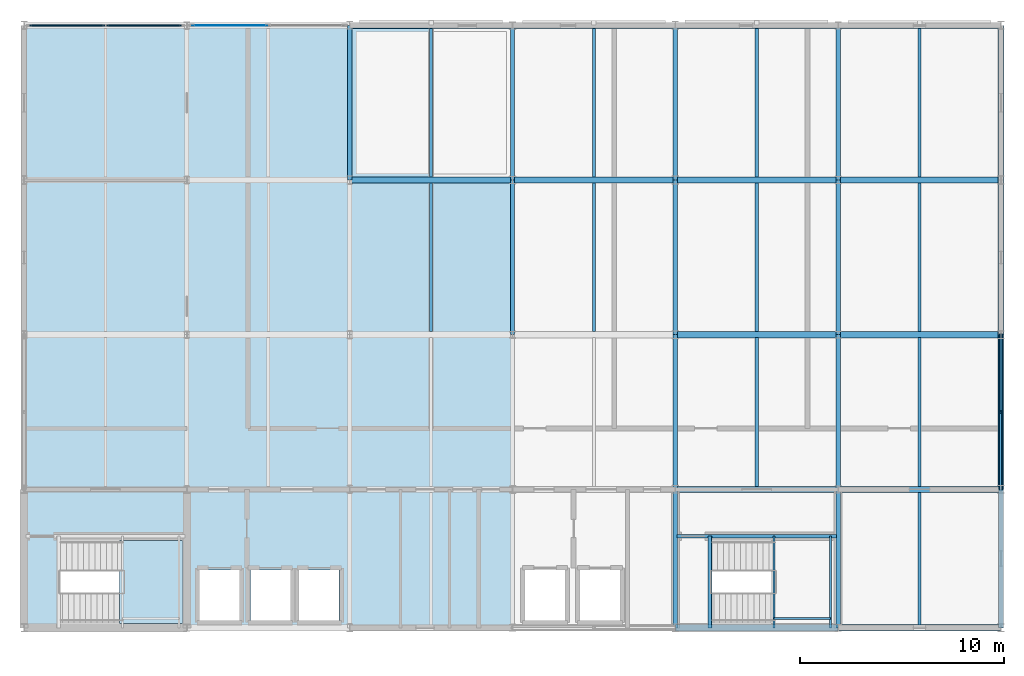
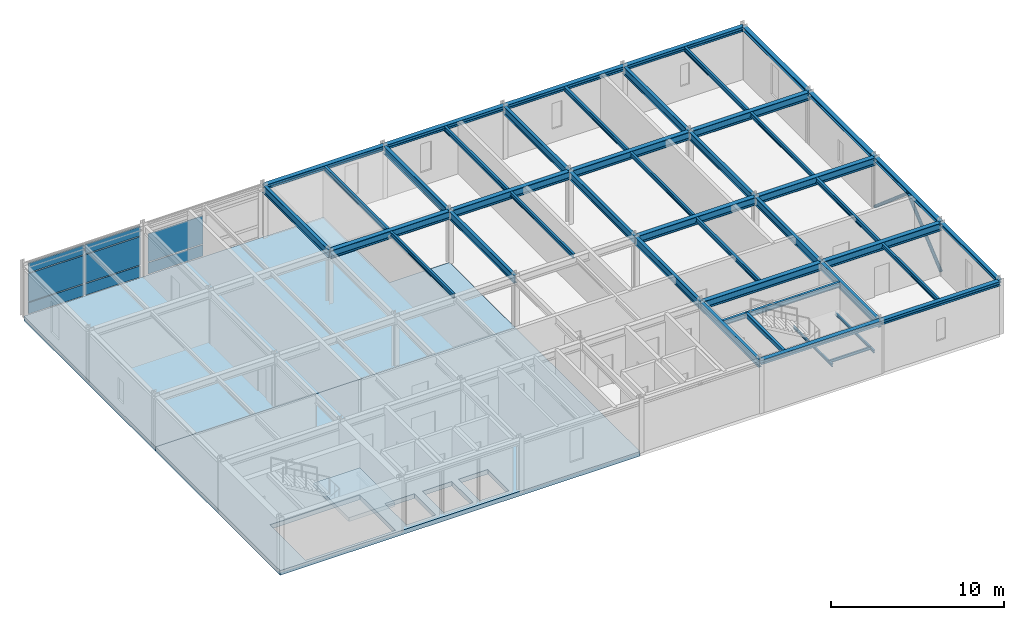
# One storey, part 5 of 9: 45 beams, 8 plates, 3 slabs, 2 members, 3 elements without a shape of their own.
"""IFC4 building model written with IfcOpenShell, lengths in metres."""

from ifc_helpers import new_model, si_unit, direction, frame, origin, origin_2d, place, context, subcontext, project, spatial, polyline, rectangle, hollow_rectangle, hollow_circle, i_section, outline, extrude, material, layer, layer_set, material_profile, profile_set, type_object, element, aggregate, save


model = new_model("IFC4")

# Units and contexts
model_context = context("Model", 3, precision=1e-05, world=origin(), true_north=direction((0.0, 1.0)))
body_context = subcontext(model_context, "Body", "Model", "MODEL_VIEW")
ifc_project = project(units=[si_unit("LENGTHUNIT", "METRE"), si_unit("AREAUNIT", "SQUARE_METRE"), si_unit("VOLUMEUNIT", "CUBIC_METRE"), si_unit("PLANEANGLEUNIT", "RADIAN"), si_unit("MASSUNIT", "GRAM", prefix="KILO")], contexts=[model_context])

# Site, building, storey
site_placement = place(None, origin())
site = spatial("IfcSite", under=ifc_project, at=site_placement, CompositionType="ELEMENT")
building_placement = place(site_placement, origin())
building = spatial("IfcBuilding", under=site, at=building_placement, Name="Shalkamar Park Central Library", CompositionType="ELEMENT")
storey_placement = place(building_placement, frame((0.0, 0.0, 63.89990234375)))
storey = spatial("IfcBuildingStorey", under=building, at=storey_placement, Name="L16", CompositionType="ELEMENT", Elevation=63.89990234375)

# Beams
ifc_material_1 = material(Name="Steel S355", Category="steel")
ifc_material_profile_1 = material_profile(ifc_material_1, i_section(OverallWidth=0.10009765625, OverallDepth=0.199951171875, WebThickness=0.005615234375, FlangeThickness=0.008544921875, FilletRadius=0.011962890625, at=origin_2d()), Name="IPE 200")
ifc_profile_set_1 = profile_set([ifc_material_profile_1], Name="Steel S355")
beam_type_1 = type_object("IfcBeamType", Name="Composite Floor Joist IPE200", PredefinedType="JOIST", material=ifc_profile_set_1)
for number, where, z_axis, x_axis, name in (
    (1, (201.840087890625, 248.39990234375, 1.570068359375), (0.0, 1.0, 0.0), (-1.0, 0.0, 0.0), "Stair Half-Landing Beam ST-T2-L16-1"),
    (2, (204.6201171875, 248.39990234375, 1.570068359375), (0.0, 1.0, 0.0), (-1.0, 0.0, 0.0), "Stair Half-Landing Beam ST-T2-L16-2"),
):
    element("IfcBeam", number, at=place(storey_placement, frame(where, z_axis=z_axis, x_axis=x_axis)), inside=storey, type_object=beam_type_1, Name=name, PredefinedType="JOIST", context=body_context, shape_type="SweptSolid", body=[
        extrude(i_section(OverallWidth=0.10009765625, OverallDepth=0.199951171875, WebThickness=0.005615234375, FlangeThickness=0.008544921875, FilletRadius=0.011962890625, at=origin_2d()), origin(), (0.0, 0.0, 1.0), 4.5),
    ])
beam_1_placement = place(storey_placement, frame((201.840087890625, 248.85009765625, 1.570068359375), z_axis=(1.0, 0.0, 0.0), x_axis=(0.0, 1.0, 0.0)))
element("IfcBeam", 3, at=beam_1_placement, inside=storey, type_object=beam_type_1, Name="Stair Half-Landing Cross Tie ST-T2-L16-3", PredefinedType="JOIST", context=body_context, shape_type="SweptSolid", body=[
    extrude(i_section(OverallWidth=0.10009765625, OverallDepth=0.199951171875, WebThickness=0.005615234375, FlangeThickness=0.008544921875, FilletRadius=0.011962890625, at=origin_2d()), origin(), (0.0, 0.0, 1.0), 2.780029296875),
])
ifc_material_profile_2 = material_profile(ifc_material_1, i_section(OverallWidth=0.14990234375, OverallDepth=0.300048828125, WebThickness=0.007080078125, FlangeThickness=0.0107421875, FilletRadius=0.014892578125, at=origin_2d()), Name="IPE 300")
ifc_profile_set_2 = profile_set([ifc_material_profile_2], Name="Steel S355")
beam_type_2 = type_object("IfcBeamType", Name="Composite Floor Joist IPE300", PredefinedType="JOIST", material=ifc_profile_set_2)
for number, where, z_axis, x_axis, name in (
    (4, (185.0, 262.947998046875, 3.550048828125), (0.0, 1.0, 0.0), (-1.0, 0.0, 0.0), "Composite Joist 09/D-1 (L16)"),
    (5, (193.0, 262.947998046875, 3.550048828125), (0.0, 1.0, 0.0), (-1.0, 0.0, 0.0), "Composite Joist 10/D-1 (L16)"),
    (6, (201.0, 262.947998046875, 3.550048828125), (0.0, 1.0, 0.0), (-1.0, 0.0, 0.0), "Composite Joist 11/D-1 (L16)"),
):
    element("IfcBeam", number, at=place(storey_placement, frame(where, z_axis=z_axis, x_axis=x_axis)), inside=storey, type_object=beam_type_2, Name=name, PredefinedType="JOIST", context=body_context, shape_type="SweptSolid", body=[
        extrude(i_section(OverallWidth=0.14990234375, OverallDepth=0.300048828125, WebThickness=0.007080078125, FlangeThickness=0.0107421875, FilletRadius=0.014892578125, at=origin_2d()), origin(), (0.0, 0.0, 1.0), 7.303955078125),
    ])
beam_2_placement = place(storey_placement, frame((209.0, 248.548095703125, 3.550048828125), z_axis=(0.0, 1.0, 0.0), x_axis=(-1.0, 0.0, 0.0)))
element("IfcBeam", 7, at=beam_2_placement, inside=storey, type_object=beam_type_2, Name="Composite Joist 12/B-1 (L16)", PredefinedType="JOIST", context=body_context, shape_type="SweptSolid", body=[
    extrude(i_section(OverallWidth=0.14990234375, OverallDepth=0.300048828125, WebThickness=0.007080078125, FlangeThickness=0.0107421875, FilletRadius=0.014892578125, at=origin_2d()), origin(), (0.0, 0.0, 1.0), 6.50390625),
])
beam_3_placement = place(storey_placement, frame((209.0, 262.947998046875, 3.550048828125), z_axis=(0.0, 1.0, 0.0), x_axis=(-1.0, 0.0, 0.0)))
element("IfcBeam", 8, at=beam_3_placement, inside=storey, type_object=beam_type_2, Name="Composite Joist 12/D-1 (L16)", PredefinedType="JOIST", context=body_context, shape_type="SweptSolid", body=[
    extrude(i_section(OverallWidth=0.14990234375, OverallDepth=0.300048828125, WebThickness=0.007080078125, FlangeThickness=0.0107421875, FilletRadius=0.014892578125, at=origin_2d()), origin(), (0.0, 0.0, 1.0), 7.303955078125),
])
ifc_material_profile_3 = material_profile(ifc_material_1, i_section(OverallWidth=0.159912109375, OverallDepth=0.330078125, WebThickness=0.007568359375, FlangeThickness=0.011474609375, FilletRadius=0.01806640625, at=origin_2d()), Name="IPE 330")
ifc_profile_set_3 = profile_set([ifc_material_profile_3], Name="Steel S355")
beam_type_3 = type_object("IfcBeamType", Name="Composite Floor Joist IPE330", PredefinedType="JOIST", material=ifc_profile_set_3)
for number, where, z_axis, x_axis, name in (
    (9, (185.0, 270.548095703125, 3.53515625), (0.0, 1.0, 0.0), (-1.0, 0.0, 0.0), "Composite Joist 09/E-1 (L16)"),
    (10, (193.0, 270.548095703125, 3.53515625), (0.0, 1.0, 0.0), (-1.0, 0.0, 0.0), "Composite Joist 10/E-1 (L16)"),
):
    element("IfcBeam", number, at=place(storey_placement, frame(where, z_axis=z_axis, x_axis=x_axis)), inside=storey, type_object=beam_type_3, Name=name, PredefinedType="JOIST", context=body_context, shape_type="SweptSolid", body=[
        extrude(i_section(OverallWidth=0.159912109375, OverallDepth=0.330078125, WebThickness=0.007568359375, FlangeThickness=0.011474609375, FilletRadius=0.01806640625, at=origin_2d()), origin(), (0.0, 0.0, 1.0), 7.303955078125),
    ])
beam_4_placement = place(storey_placement, frame((201.0, 255.347900390625, 3.53515625), z_axis=(0.0, 1.0, 0.0), x_axis=(-1.0, 0.0, 0.0)))
element("IfcBeam", 11, at=beam_4_placement, inside=storey, type_object=beam_type_3, Name="Composite Joist 11/C-1 (L16)", PredefinedType="JOIST", context=body_context, shape_type="SweptSolid", body=[
    extrude(i_section(OverallWidth=0.159912109375, OverallDepth=0.330078125, WebThickness=0.007568359375, FlangeThickness=0.011474609375, FilletRadius=0.01806640625, at=origin_2d()), origin(), (0.0, 0.0, 1.0), 7.30419921875),
])
beam_5_placement = place(storey_placement, frame((201.0, 270.548095703125, 3.53515625), z_axis=(0.0, 1.0, 0.0), x_axis=(-1.0, 0.0, 0.0)))
element("IfcBeam", 12, at=beam_5_placement, inside=storey, type_object=beam_type_3, Name="Composite Joist 11/E-1 (L16)", PredefinedType="JOIST", context=body_context, shape_type="SweptSolid", body=[
    extrude(i_section(OverallWidth=0.159912109375, OverallDepth=0.330078125, WebThickness=0.007568359375, FlangeThickness=0.011474609375, FilletRadius=0.01806640625, at=origin_2d()), origin(), (0.0, 0.0, 1.0), 7.303955078125),
])
beam_6_placement = place(storey_placement, frame((209.0, 255.347900390625, 3.53515625), z_axis=(0.0, 1.0, 0.0), x_axis=(-1.0, 0.0, 0.0)))
element("IfcBeam", 13, at=beam_6_placement, inside=storey, type_object=beam_type_3, Name="Composite Joist 12/C-1 (L16)", PredefinedType="JOIST", context=body_context, shape_type="SweptSolid", body=[
    extrude(i_section(OverallWidth=0.159912109375, OverallDepth=0.330078125, WebThickness=0.007568359375, FlangeThickness=0.011474609375, FilletRadius=0.01806640625, at=origin_2d()), origin(), (0.0, 0.0, 1.0), 7.30419921875),
])
beam_7_placement = place(storey_placement, frame((209.0, 270.548095703125, 3.53515625), z_axis=(0.0, 1.0, 0.0), x_axis=(-1.0, 0.0, 0.0)))
element("IfcBeam", 14, at=beam_7_placement, inside=storey, type_object=beam_type_3, Name="Composite Joist 12/E-1 (L16)", PredefinedType="JOIST", context=body_context, shape_type="SweptSolid", body=[
    extrude(i_section(OverallWidth=0.159912109375, OverallDepth=0.330078125, WebThickness=0.007568359375, FlangeThickness=0.011474609375, FilletRadius=0.01806640625, at=origin_2d()), origin(), (0.0, 0.0, 1.0), 7.303955078125),
])

# Members
ifc_material_profile_4 = material_profile(ifc_material_1, hollow_circle(Radius=0.109619140625, WallThickness=0.010009765625, at=origin_2d()), Name="CHS 219.1x10")
ifc_profile_set_4 = profile_set([ifc_material_profile_4], Name="Steel S355")
member_type = type_object("IfcMemberType", Name="Diagonal Brace CHS219", PredefinedType="BRACE", material=ifc_profile_set_4)
for number, where, z_axis, x_axis, name in (
    (15, (213.0, 255.199951171875, 0.150146484375), (0.0, 0.759966128162, 0.649962678965), (-1.0, 0.0, 0.0), "Chevron Brace TW-E Leg A (L16)"),
    (16, (213.0, 262.800048828125, 0.150146484375), (0.0, -0.759966128162, 0.649962678965), (1.0, 0.0, 0.0), "Chevron Brace TW-E Leg B (L16)"),
):
    element("IfcMember", number, at=place(storey_placement, frame(where, z_axis=z_axis, x_axis=x_axis)), inside=storey, type_object=member_type, Name=name, PredefinedType="BRACE", context=body_context, shape_type="SweptSolid", body=[
        extrude(hollow_circle(Radius=0.109619140625, WallThickness=0.010009765625, at=origin_2d()), origin(), (0.0, 0.0, 1.0), 5.000244140625),
    ])

# Beams
ifc_material_profile_5 = material_profile(ifc_material_1, i_section(OverallWidth=0.239990234375, OverallDepth=0.22998046875, WebThickness=0.007568359375, FlangeThickness=0.011962890625, FilletRadius=0.02099609375, at=origin_2d()), Name="HEA 240")
ifc_profile_set_5 = profile_set([ifc_material_profile_5], Name="Steel S355")
beam_type_4 = type_object("IfcBeamType", Name="Perimeter Spandrel Beam HEA240", PredefinedType="SPANDREL", material=ifc_profile_set_5)
beam_8_placement = place(storey_placement, frame((213.0, 248.39990234375, 3.585205078125), z_axis=(0.0, 1.0, 0.0), x_axis=(-1.0, 0.0, 0.0)))
element("IfcBeam", 17, at=beam_8_placement, inside=storey, type_object=beam_type_4, Name="Beam 13:B-C (L16)", PredefinedType="SPANDREL", context=body_context, shape_type="SweptSolid", body=[
    extrude(i_section(OverallWidth=0.239990234375, OverallDepth=0.22998046875, WebThickness=0.007568359375, FlangeThickness=0.011962890625, FilletRadius=0.02099609375, at=origin_2d()), origin(), (0.0, 0.0, 1.0), 6.800048828125),
])
ifc_material_profile_6 = material_profile(ifc_material_1, i_section(OverallWidth=0.280029296875, OverallDepth=0.27001953125, WebThickness=0.008056640625, FlangeThickness=0.012939453125, FilletRadius=0.02392578125, at=origin_2d()), Name="HEA 280")
ifc_profile_set_6 = profile_set([ifc_material_profile_6], Name="Steel S355")
beam_type_5 = type_object("IfcBeamType", Name="Perimeter Spandrel Beam HEA280", PredefinedType="SPANDREL", material=ifc_profile_set_6)
beam_9_placement = place(storey_placement, frame((213.0, 255.199951171875, 3.565185546875), z_axis=(0.0, 1.0, 0.0), x_axis=(-1.0, 0.0, 0.0)))
element("IfcBeam", 18, at=beam_9_placement, inside=storey, type_object=beam_type_5, Name="Beam 13:C-D (L16)", PredefinedType="SPANDREL", context=body_context, shape_type="SweptSolid", body=[
    extrude(i_section(OverallWidth=0.280029296875, OverallDepth=0.27001953125, WebThickness=0.008056640625, FlangeThickness=0.012939453125, FilletRadius=0.02392578125, at=origin_2d()), origin(), (0.0, 0.0, 1.0), 7.60009765625),
])
beam_10_placement = place(storey_placement, frame((213.0, 262.800048828125, 3.565185546875), z_axis=(0.0, 1.0, 0.0), x_axis=(-1.0, 0.0, 0.0)))
element("IfcBeam", 19, at=beam_10_placement, inside=storey, type_object=beam_type_5, Name="Beam 13:D-E (L16)", PredefinedType="SPANDREL", context=body_context, shape_type="SweptSolid", body=[
    extrude(i_section(OverallWidth=0.280029296875, OverallDepth=0.27001953125, WebThickness=0.008056640625, FlangeThickness=0.012939453125, FilletRadius=0.02392578125, at=origin_2d()), origin(), (0.0, 0.0, 1.0), 7.599853515625),
])
beam_11_placement = place(storey_placement, frame((213.0, 270.39990234375, 3.565185546875), z_axis=(0.0, 1.0, 0.0), x_axis=(-1.0, 0.0, 0.0)))
element("IfcBeam", 20, at=beam_11_placement, inside=storey, type_object=beam_type_5, Name="Beam 13:E-F (L16)", PredefinedType="SPANDREL", context=body_context, shape_type="SweptSolid", body=[
    extrude(i_section(OverallWidth=0.280029296875, OverallDepth=0.27001953125, WebThickness=0.008056640625, FlangeThickness=0.012939453125, FilletRadius=0.02392578125, at=origin_2d()), origin(), (0.0, 0.0, 1.0), 7.60009765625),
])
ifc_material_profile_7 = material_profile(ifc_material_1, i_section(OverallWidth=0.300048828125, OverallDepth=0.31005859375, WebThickness=0.009033203125, FlangeThickness=0.015380859375, FilletRadius=0.027099609375, at=origin_2d()), Name="HEA 320")
ifc_profile_set_7 = profile_set([ifc_material_profile_7], Name="Steel S355")
beam_type_6 = type_object("IfcBeamType", Name="Perimeter Spandrel Beam HEA320", PredefinedType="SPANDREL", material=ifc_profile_set_7)
for number, where, z_axis, x_axis, name in (
    (21, (197.0, 248.39990234375, 3.545166015625), (1.0, 0.0, 0.0), (0.0, 1.0, 0.0), "Beam B:11-12 (L16)"),
    (22, (205.0, 248.39990234375, 3.545166015625), (1.0, 0.0, 0.0), (0.0, 1.0, 0.0), "Beam B:12-13 (L16)"),
    (23, (181.0, 278.0, 3.545166015625), (1.0, 0.0, 0.0), (0.0, 1.0, 0.0), "Beam F:09-10 (L16)"),
    (24, (189.0, 278.0, 3.545166015625), (1.0, 0.0, 0.0), (0.0, 1.0, 0.0), "Beam F:10-11 (L16)"),
    (25, (197.0, 278.0, 3.545166015625), (1.0, 0.0, 0.0), (0.0, 1.0, 0.0), "Beam F:11-12 (L16)"),
    (26, (205.0, 278.0, 3.545166015625), (1.0, 0.0, 0.0), (0.0, 1.0, 0.0), "Beam F:12-13 (L16)"),
):
    element("IfcBeam", number, at=place(storey_placement, frame(where, z_axis=z_axis, x_axis=x_axis)), inside=storey, type_object=beam_type_6, Name=name, PredefinedType="SPANDREL", context=body_context, shape_type="SweptSolid", body=[
        extrude(i_section(OverallWidth=0.300048828125, OverallDepth=0.31005859375, WebThickness=0.009033203125, FlangeThickness=0.015380859375, FilletRadius=0.027099609375, at=origin_2d()), origin(), (0.0, 0.0, 1.0), 8.0),
    ])
ifc_material_profile_8 = material_profile(ifc_material_1, i_section(OverallWidth=0.300048828125, OverallDepth=0.550048828125, WebThickness=0.014892578125, FlangeThickness=0.029052734375, FilletRadius=0.027099609375, at=origin_2d()), Name="HEB 550")
ifc_profile_set_8 = profile_set([ifc_material_profile_8], Name="Steel S355")
beam_type_7 = type_object("IfcBeamType", Name="Primary Girder HEB550", PredefinedType="BEAM", material=ifc_profile_set_8)
for number, where, z_axis, x_axis, name in (
    (27, (197.0, 255.199951171875, 3.425048828125), (1.0, 0.0, 0.0), (0.0, 1.0, 0.0), "Beam C:11-12 (L16)"),
    (28, (205.0, 255.199951171875, 3.425048828125), (1.0, 0.0, 0.0), (0.0, 1.0, 0.0), "Beam C:12-13 (L16)"),
    (29, (197.0, 262.800048828125, 3.425048828125), (1.0, 0.0, 0.0), (0.0, 1.0, 0.0), "Beam D:11-12 (L16)"),
    (30, (205.0, 262.800048828125, 3.425048828125), (1.0, 0.0, 0.0), (0.0, 1.0, 0.0), "Beam D:12-13 (L16)"),
    (31, (181.0, 270.39990234375, 3.425048828125), (1.0, 0.0, 0.0), (0.0, 1.0, 0.0), "Beam E:09-10 (L16)"),
    (32, (189.0, 270.39990234375, 3.425048828125), (1.0, 0.0, 0.0), (0.0, 1.0, 0.0), "Beam E:10-11 (L16)"),
    (33, (197.0, 270.39990234375, 3.425048828125), (1.0, 0.0, 0.0), (0.0, 1.0, 0.0), "Beam E:11-12 (L16)"),
    (34, (205.0, 270.39990234375, 3.425048828125), (1.0, 0.0, 0.0), (0.0, 1.0, 0.0), "Beam E:12-13 (L16)"),
):
    element("IfcBeam", number, at=place(storey_placement, frame(where, z_axis=z_axis, x_axis=x_axis)), inside=storey, type_object=beam_type_7, Name=name, PredefinedType="BEAM", context=body_context, shape_type="SweptSolid", body=[
        extrude(i_section(OverallWidth=0.300048828125, OverallDepth=0.550048828125, WebThickness=0.014892578125, FlangeThickness=0.029052734375, FilletRadius=0.027099609375, at=origin_2d()), origin(), (0.0, 0.0, 1.0), 8.0),
    ])
ifc_material_profile_9 = material_profile(ifc_material_1, i_section(OverallWidth=0.169921875, OverallDepth=0.360107421875, WebThickness=0.008056640625, FlangeThickness=0.0126953125, FilletRadius=0.01806640625, at=origin_2d()), Name="IPE 360")
ifc_profile_set_9 = profile_set([ifc_material_profile_9], Name="Steel S355")
beam_type_8 = type_object("IfcBeamType", Name="Primary Girder IPE360", PredefinedType="BEAM", material=ifc_profile_set_9)
beam_12_placement = place(storey_placement, frame((197.087890625, 252.89990234375, 3.52001953125), z_axis=(1.0, 0.0, 0.0), x_axis=(0.0, 1.0, 0.0)))
element("IfcBeam", 35, at=beam_12_placement, inside=storey, type_object=beam_type_8, Name="CORE-T2 Stairwell Divider Beam (L16)", PredefinedType="BEAM", context=body_context, shape_type="SweptSolid", body=[
    extrude(i_section(OverallWidth=0.169921875, OverallDepth=0.360107421875, WebThickness=0.008056640625, FlangeThickness=0.0126953125, FilletRadius=0.01806640625, at=origin_2d()), origin(), (0.0, 0.0, 1.0), 7.82421875),
])
ifc_material_profile_10 = material_profile(ifc_material_1, i_section(OverallWidth=0.2099609375, OverallDepth=0.550048828125, WebThickness=0.010986328125, FlangeThickness=0.01708984375, FilletRadius=0.02392578125, at=origin_2d()), Name="IPE 550")
ifc_profile_set_10 = profile_set([ifc_material_profile_10], Name="Steel S355")
beam_type_9 = type_object("IfcBeamType", Name="Primary Girder IPE550", PredefinedType="BEAM", material=ifc_profile_set_10)
beam_13_placement = place(storey_placement, frame((181.0, 270.39990234375, 3.425048828125), z_axis=(0.0, 1.0, 0.0), x_axis=(-1.0, 0.0, 0.0)))
element("IfcBeam", 36, at=beam_13_placement, inside=storey, type_object=beam_type_9, Name="Beam 09:E-F (L16)", PredefinedType="BEAM", context=body_context, shape_type="SweptSolid", body=[
    extrude(i_section(OverallWidth=0.2099609375, OverallDepth=0.550048828125, WebThickness=0.010986328125, FlangeThickness=0.01708984375, FilletRadius=0.02392578125, at=origin_2d()), origin(), (0.0, 0.0, 1.0), 7.60009765625),
])
beam_14_placement = place(storey_placement, frame((189.0, 262.800048828125, 3.425048828125), z_axis=(0.0, 1.0, 0.0), x_axis=(-1.0, 0.0, 0.0)))
element("IfcBeam", 37, at=beam_14_placement, inside=storey, type_object=beam_type_9, Name="Beam 10:D-E (L16)", PredefinedType="BEAM", context=body_context, shape_type="SweptSolid", body=[
    extrude(i_section(OverallWidth=0.2099609375, OverallDepth=0.550048828125, WebThickness=0.010986328125, FlangeThickness=0.01708984375, FilletRadius=0.02392578125, at=origin_2d()), origin(), (0.0, 0.0, 1.0), 7.599853515625),
])
beam_15_placement = place(storey_placement, frame((189.0, 270.39990234375, 3.425048828125), z_axis=(0.0, 1.0, 0.0), x_axis=(-1.0, 0.0, 0.0)))
element("IfcBeam", 38, at=beam_15_placement, inside=storey, type_object=beam_type_9, Name="Beam 10:E-F (L16)", PredefinedType="BEAM", context=body_context, shape_type="SweptSolid", body=[
    extrude(i_section(OverallWidth=0.2099609375, OverallDepth=0.550048828125, WebThickness=0.010986328125, FlangeThickness=0.01708984375, FilletRadius=0.02392578125, at=origin_2d()), origin(), (0.0, 0.0, 1.0), 7.60009765625),
])
beam_16_placement = place(storey_placement, frame((197.0, 248.39990234375, 3.425048828125), z_axis=(0.0, 1.0, 0.0), x_axis=(-1.0, 0.0, 0.0)))
element("IfcBeam", 39, at=beam_16_placement, inside=storey, type_object=beam_type_9, Name="Beam 11:B-C (L16)", PredefinedType="BEAM", context=body_context, shape_type="SweptSolid", body=[
    extrude(i_section(OverallWidth=0.2099609375, OverallDepth=0.550048828125, WebThickness=0.010986328125, FlangeThickness=0.01708984375, FilletRadius=0.02392578125, at=origin_2d()), origin(), (0.0, 0.0, 1.0), 6.800048828125),
])
beam_17_placement = place(storey_placement, frame((197.0, 255.199951171875, 3.425048828125), z_axis=(0.0, 1.0, 0.0), x_axis=(-1.0, 0.0, 0.0)))
element("IfcBeam", 40, at=beam_17_placement, inside=storey, type_object=beam_type_9, Name="Beam 11:C-D (L16)", PredefinedType="BEAM", context=body_context, shape_type="SweptSolid", body=[
    extrude(i_section(OverallWidth=0.2099609375, OverallDepth=0.550048828125, WebThickness=0.010986328125, FlangeThickness=0.01708984375, FilletRadius=0.02392578125, at=origin_2d()), origin(), (0.0, 0.0, 1.0), 7.60009765625),
])
beam_18_placement = place(storey_placement, frame((197.0, 262.800048828125, 3.425048828125), z_axis=(0.0, 1.0, 0.0), x_axis=(-1.0, 0.0, 0.0)))
element("IfcBeam", 41, at=beam_18_placement, inside=storey, type_object=beam_type_9, Name="Beam 11:D-E (L16)", PredefinedType="BEAM", context=body_context, shape_type="SweptSolid", body=[
    extrude(i_section(OverallWidth=0.2099609375, OverallDepth=0.550048828125, WebThickness=0.010986328125, FlangeThickness=0.01708984375, FilletRadius=0.02392578125, at=origin_2d()), origin(), (0.0, 0.0, 1.0), 7.599853515625),
])
beam_19_placement = place(storey_placement, frame((197.0, 270.39990234375, 3.425048828125), z_axis=(0.0, 1.0, 0.0), x_axis=(-1.0, 0.0, 0.0)))
element("IfcBeam", 42, at=beam_19_placement, inside=storey, type_object=beam_type_9, Name="Beam 11:E-F (L16)", PredefinedType="BEAM", context=body_context, shape_type="SweptSolid", body=[
    extrude(i_section(OverallWidth=0.2099609375, OverallDepth=0.550048828125, WebThickness=0.010986328125, FlangeThickness=0.01708984375, FilletRadius=0.02392578125, at=origin_2d()), origin(), (0.0, 0.0, 1.0), 7.60009765625),
])
beam_20_placement = place(storey_placement, frame((205.0, 248.39990234375, 3.425048828125), z_axis=(0.0, 1.0, 0.0), x_axis=(-1.0, 0.0, 0.0)))
element("IfcBeam", 43, at=beam_20_placement, inside=storey, type_object=beam_type_9, Name="Beam 12:B-C (L16)", PredefinedType="BEAM", context=body_context, shape_type="SweptSolid", body=[
    extrude(i_section(OverallWidth=0.2099609375, OverallDepth=0.550048828125, WebThickness=0.010986328125, FlangeThickness=0.01708984375, FilletRadius=0.02392578125, at=origin_2d()), origin(), (0.0, 0.0, 1.0), 6.800048828125),
])
beam_21_placement = place(storey_placement, frame((205.0, 255.199951171875, 3.425048828125), z_axis=(0.0, 1.0, 0.0), x_axis=(-1.0, 0.0, 0.0)))
element("IfcBeam", 44, at=beam_21_placement, inside=storey, type_object=beam_type_9, Name="Beam 12:C-D (L16)", PredefinedType="BEAM", context=body_context, shape_type="SweptSolid", body=[
    extrude(i_section(OverallWidth=0.2099609375, OverallDepth=0.550048828125, WebThickness=0.010986328125, FlangeThickness=0.01708984375, FilletRadius=0.02392578125, at=origin_2d()), origin(), (0.0, 0.0, 1.0), 7.60009765625),
])
beam_22_placement = place(storey_placement, frame((205.0, 262.800048828125, 3.425048828125), z_axis=(0.0, 1.0, 0.0), x_axis=(-1.0, 0.0, 0.0)))
element("IfcBeam", 45, at=beam_22_placement, inside=storey, type_object=beam_type_9, Name="Beam 12:D-E (L16)", PredefinedType="BEAM", context=body_context, shape_type="SweptSolid", body=[
    extrude(i_section(OverallWidth=0.2099609375, OverallDepth=0.550048828125, WebThickness=0.010986328125, FlangeThickness=0.01708984375, FilletRadius=0.02392578125, at=origin_2d()), origin(), (0.0, 0.0, 1.0), 7.599853515625),
])
beam_23_placement = place(storey_placement, frame((205.0, 270.39990234375, 3.425048828125), z_axis=(0.0, 1.0, 0.0), x_axis=(-1.0, 0.0, 0.0)))
element("IfcBeam", 46, at=beam_23_placement, inside=storey, type_object=beam_type_9, Name="Beam 12:E-F (L16)", PredefinedType="BEAM", context=body_context, shape_type="SweptSolid", body=[
    extrude(i_section(OverallWidth=0.2099609375, OverallDepth=0.550048828125, WebThickness=0.010986328125, FlangeThickness=0.01708984375, FilletRadius=0.02392578125, at=origin_2d()), origin(), (0.0, 0.0, 1.0), 7.60009765625),
])
ifc_material_profile_11 = material_profile(ifc_material_1, hollow_rectangle(XDim=0.199951171875, YDim=0.300048828125, WallThickness=0.011962890625, InnerFilletRadius=0.011962890625, OuterFilletRadius=0.01806640625, at=origin_2d()), Name="RHS 300x200x12")
ifc_profile_set_11 = profile_set([ifc_material_profile_11], Name="Steel S355")
beam_type_10 = type_object("IfcBeamType", Name="Stair Trimmer Box RHS300x200", PredefinedType="BEAM", material=ifc_profile_set_11)
beam_24_placement = place(storey_placement, frame((198.699951171875, 248.39990234375, 3.550048828125), z_axis=(0.0, 1.0, 0.0), x_axis=(-1.0, 0.0, 0.0)))
element("IfcBeam", 47, at=beam_24_placement, inside=storey, type_object=beam_type_10, Name="Stair Arrival Trimmer Girder ST-T2-L16", PredefinedType="BEAM", context=body_context, shape_type="SweptSolid", body=[
    extrude(hollow_rectangle(XDim=0.199951171875, YDim=0.300048828125, WallThickness=0.011962890625, InnerFilletRadius=0.011962890625, OuterFilletRadius=0.01806640625, at=origin_2d()), origin(), (0.0, 0.0, 1.0), 4.5),
])

# Curtain wall, plates
ifc_material_2 = material(Name="Thermally broken aluminium and triple low-e curtain wall", Category="aluminium")
ifc_layer_1 = layer(ifc_material_2, 0.280029296875)
ifc_layer_set_1 = layer_set([ifc_layer_1], Name="UnitisedCurtainWall_103")
curtain_wall_type_1 = type_object("IfcCurtainWallType", Name="Unitised Curtain Wall 103", PredefinedType="USERDEFINED", material=ifc_layer_set_1)
curtain_wall_1_placement = place(storey_placement, origin())
curtain_wall_1 = element("IfcCurtainWall", 48, at=curtain_wall_1_placement, inside=storey, type_object=curtain_wall_type_1, Name="Unitised Curtain Wall CW-L16-159", ObjectType="UNITISED CURTAIN WALL", PredefinedType="USERDEFINED")
ifc_material_3 = material(Name="Triple-glazed solar-control glass", Category="glass")
ifc_layer_2 = layer(ifc_material_3, 0.031982421875)
ifc_layer_set_2 = layer_set([ifc_layer_2], Name="SolarControlVisionPanel_32")
plate_type_1 = type_object("IfcPlateType", Name="Solar Control Vision Panel 32", PredefinedType="CURTAIN_PANEL", material=ifc_layer_set_2)
plate_1_placement = place(storey_placement, frame((175.109619140625, 278.0, 0.070068359375), z_axis=(0.0, 0.0, 1.0), x_axis=(1.0, 0.0, 0.0)))
plate_1 = element("IfcPlate", 49, at=plate_1_placement, type_object=plate_type_1, Name="CW-103 panel 1.1", PredefinedType="CURTAIN_PANEL", context=body_context, shape_type="SweptSolid", body=[
    extrude(rectangle(XDim=3.6708984375, YDim=0.031982421875, at=origin_2d()), origin(), (0.0, 0.0, 1.0), 0.794921875),
])
plate_2_placement = place(storey_placement, frame((175.109619140625, 278.0, 0.93505859375), z_axis=(0.0, 0.0, 1.0), x_axis=(1.0, 0.0, 0.0)))
plate_2 = element("IfcPlate", 50, at=plate_2_placement, type_object=plate_type_1, Name="CW-103 panel 1.2", PredefinedType="CURTAIN_PANEL", context=body_context, shape_type="SweptSolid", body=[
    extrude(rectangle(XDim=3.6708984375, YDim=0.031982421875, at=origin_2d()), origin(), (0.0, 0.0, 1.0), 1.97998046875),
])
aggregate(curtain_wall_1, [plate_1, plate_2])

ifc_layer_3 = layer(ifc_material_2, 0.264892578125)
ifc_layer_set_3 = layer_set([ifc_layer_3], Name="UnitisedCurtainWall_102")
curtain_wall_type_2 = type_object("IfcCurtainWallType", Name="Unitised Curtain Wall 102", PredefinedType="USERDEFINED", material=ifc_layer_set_3)
curtain_wall_2_placement = place(storey_placement, origin())
curtain_wall_2 = element("IfcCurtainWall", 51, at=curtain_wall_2_placement, inside=storey, type_object=curtain_wall_type_2, Name="Unitised Curtain Wall CW-L16-158", ObjectType="UNITISED CURTAIN WALL", PredefinedType="USERDEFINED")
ifc_material_4 = material(Name="Insulated aluminium spandrel panel", Category="aluminium")
ifc_layer_4 = layer(ifc_material_4, 0.080078125)
ifc_layer_set_4 = layer_set([ifc_layer_4], Name="SpandrelShadowboxPanel_80")
plate_type_2 = type_object("IfcPlateType", Name="Spandrel Shadowbox Panel 80", PredefinedType="CURTAIN_PANEL", material=ifc_layer_set_4)
plate_3_placement = place(storey_placement, frame((167.128173828125, 278.0, 0.070068359375), z_axis=(0.0, 0.0, 1.0), x_axis=(1.0, 0.0, 0.0)))
plate_3 = element("IfcPlate", 52, at=plate_3_placement, type_object=plate_type_2, Name="CW-102 panel 1.1", PredefinedType="CURTAIN_PANEL", context=body_context, shape_type="SweptSolid", body=[
    extrude(rectangle(XDim=3.678466796875, YDim=0.080078125, at=origin_2d()), origin(), (0.0, 0.0, 1.0), 0.794921875),
])
plate_4_placement = place(storey_placement, frame((167.128173828125, 278.0, 0.93505859375), z_axis=(0.0, 0.0, 1.0), x_axis=(1.0, 0.0, 0.0)))
plate_4 = element("IfcPlate", 53, at=plate_4_placement, type_object=plate_type_2, Name="CW-102 panel 1.2", PredefinedType="CURTAIN_PANEL", context=body_context, shape_type="SweptSolid", body=[
    extrude(rectangle(XDim=3.678466796875, YDim=0.080078125, at=origin_2d()), origin(), (0.0, 0.0, 1.0), 1.97998046875),
])
plate_5_placement = place(storey_placement, frame((167.128173828125, 278.0, 2.985107421875), z_axis=(0.0, 0.0, 1.0), x_axis=(1.0, 0.0, 0.0)))
plate_5 = element("IfcPlate", 54, at=plate_5_placement, type_object=plate_type_2, Name="CW-102 panel 1.3", PredefinedType="CURTAIN_PANEL", context=body_context, shape_type="SweptSolid", body=[
    extrude(rectangle(XDim=3.678466796875, YDim=0.080078125, at=origin_2d()), origin(), (0.0, 0.0, 1.0), 0.64501953125),
])
plate_6_placement = place(storey_placement, frame((170.891845703125, 278.0, 0.070068359375), z_axis=(0.0, 0.0, 1.0), x_axis=(1.0, 0.0, 0.0)))
plate_6 = element("IfcPlate", 55, at=plate_6_placement, type_object=plate_type_2, Name="CW-102 panel 2.1", PredefinedType="CURTAIN_PANEL", context=body_context, shape_type="SweptSolid", body=[
    extrude(rectangle(XDim=3.678466796875, YDim=0.080078125, at=origin_2d()), origin(), (0.0, 0.0, 1.0), 0.794921875),
])
plate_7_placement = place(storey_placement, frame((170.891845703125, 278.0, 0.93505859375), z_axis=(0.0, 0.0, 1.0), x_axis=(1.0, 0.0, 0.0)))
plate_7 = element("IfcPlate", 56, at=plate_7_placement, type_object=plate_type_2, Name="CW-102 panel 2.2", PredefinedType="CURTAIN_PANEL", context=body_context, shape_type="SweptSolid", body=[
    extrude(rectangle(XDim=3.678466796875, YDim=0.080078125, at=origin_2d()), origin(), (0.0, 0.0, 1.0), 1.97998046875),
])
plate_8_placement = place(storey_placement, frame((170.891845703125, 278.0, 2.985107421875), z_axis=(0.0, 0.0, 1.0), x_axis=(1.0, 0.0, 0.0)))
plate_8 = element("IfcPlate", 57, at=plate_8_placement, type_object=plate_type_2, Name="CW-102 panel 2.3", PredefinedType="CURTAIN_PANEL", context=body_context, shape_type="SweptSolid", body=[
    extrude(rectangle(XDim=3.678466796875, YDim=0.080078125, at=origin_2d()), origin(), (0.0, 0.0, 1.0), 0.64501953125),
])
aggregate(curtain_wall_2, [plate_3, plate_4, plate_5, plate_6, plate_7, plate_8])

# Stair, slab
ifc_material_5 = material(Name="Concrete C35/45", Category="concrete")
stair_type = type_object("IfcStairType", Name="Protected Dog Leg Stair 150x390", PredefinedType="TWO_STRAIGHT_RUN_STAIR", material=ifc_material_5)
stair_placement = place(storey_placement, origin())
stair = element("IfcStair", 58, at=stair_placement, inside=storey, type_object=stair_type, Name="Protected Core Stair ST-T1-L16", PredefinedType="TWO_STRAIGHT_RUN_STAIR")
ifc_layer_5 = layer(ifc_material_5, 0.280029296875)
ifc_layer_set_5 = layer_set([ifc_layer_5], Name="Concrete C35/45")
slab_type_1 = type_object("IfcSlabType", Name="Stair Landing Slab 160", PredefinedType="LANDING", material=ifc_layer_set_5)
slab_1_placement = place(storey_placement, frame((0.0, 0.0, 1.670166015625)))
slab_1 = element("IfcSlab", 59, at=slab_1_placement, type_object=slab_type_1, Name="ST-T1-L16 landing 1", PredefinedType="LANDING", context=body_context, shape_type="SweptSolid", body=[
    extrude(outline(polyline([(169.699951171875, 248.6201171875), (172.780029296875, 248.6201171875), (172.780029296875, 252.679931640625), (169.699951171875, 252.679931640625), (169.699951171875, 248.6201171875)])), origin(), (0.0, 0.0, 1.0), 0.280029296875),
])
aggregate(stair, [slab_1])

# Slabs
ifc_layer_6 = layer(ifc_material_5, 0.320068359375)
ifc_layer_set_6 = layer_set([ifc_layer_6], Name="Concrete C35/45")
slab_type_2 = type_object("IfcSlabType", Name="Suspended Floor Slab 320", PredefinedType="FLOOR", material=ifc_layer_set_6)
slab_2_placement = place(storey_placement, frame((0.0, 0.0, -0.31982421875)))
element("IfcSlab", 60, at=slab_2_placement, inside=storey, type_object=slab_type_2, Name="Level L16 Composite Floor Slab NW", PredefinedType="FLOOR", context=body_context, shape_type="SweptSolid", body=[
    extrude(outline(polyline([(165.0, 262.800048828125), (188.989990234375, 262.800048828125), (188.989990234375, 270.389892578125), (184.989990234375, 270.389892578125), (184.989990234375, 278.0), (165.0, 278.0), (165.0, 262.800048828125)])), origin(), (0.0, 0.0, 1.0), 0.31982421875),
])
slab_3_placement = place(storey_placement, frame((0.0, 0.0, -0.31982421875)))
element("IfcSlab", 61, at=slab_3_placement, inside=storey, type_object=slab_type_2, Name="Level L16 Composite Floor Slab SW", PredefinedType="FLOOR", context=body_context, shape_type="SweptSolid", body=[
    extrude(outline(polyline([(165.0, 248.39990234375), (165.0, 262.800048828125), (189.0, 262.800048828125), (189.0, 248.39990234375), (165.0, 248.39990234375)]), holes=[polyline([(173.6201171875, 248.77001953125), (175.580078125, 248.77001953125), (175.580078125, 251.22998046875), (173.6201171875, 251.22998046875), (173.6201171875, 248.77001953125)]), polyline([(176.1201171875, 251.22998046875), (176.1201171875, 248.77001953125), (178.080078125, 248.77001953125), (178.080078125, 251.22998046875), (176.1201171875, 251.22998046875)]), polyline([(178.52001953125, 251.22998046875), (178.52001953125, 248.77001953125), (180.47998046875, 248.77001953125), (180.47998046875, 251.22998046875), (178.52001953125, 251.22998046875)]), polyline([(166.800048828125, 252.699951171875), (166.800048828125, 248.60009765625), (172.800048828125, 248.60009765625), (172.800048828125, 252.699951171875), (166.800048828125, 252.699951171875)])]), origin(), (0.0, 0.0, 1.0), 0.31982421875),
])

save(model, "model.ifc")
